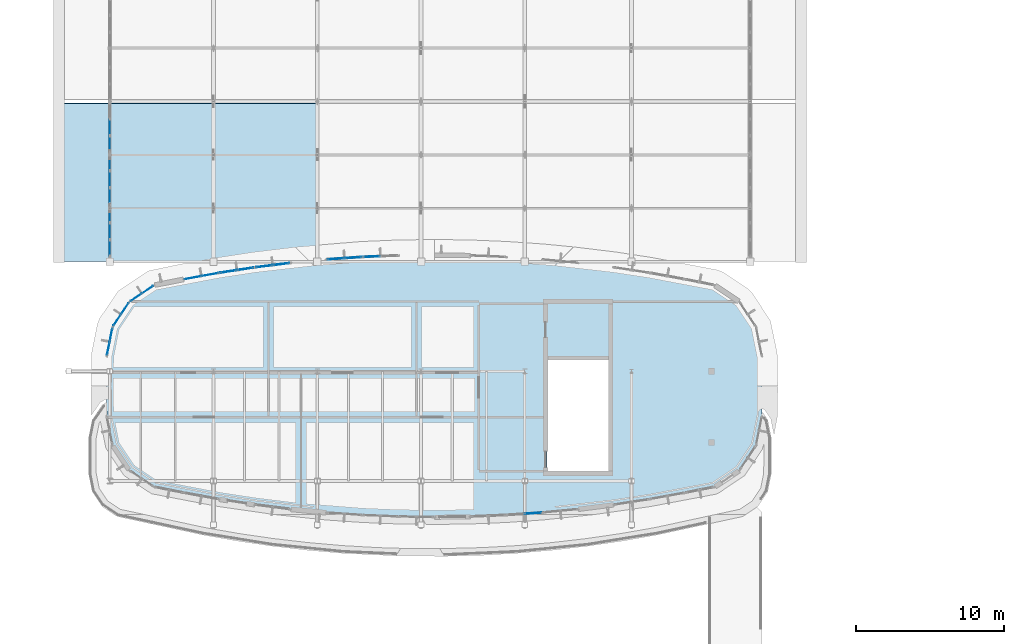
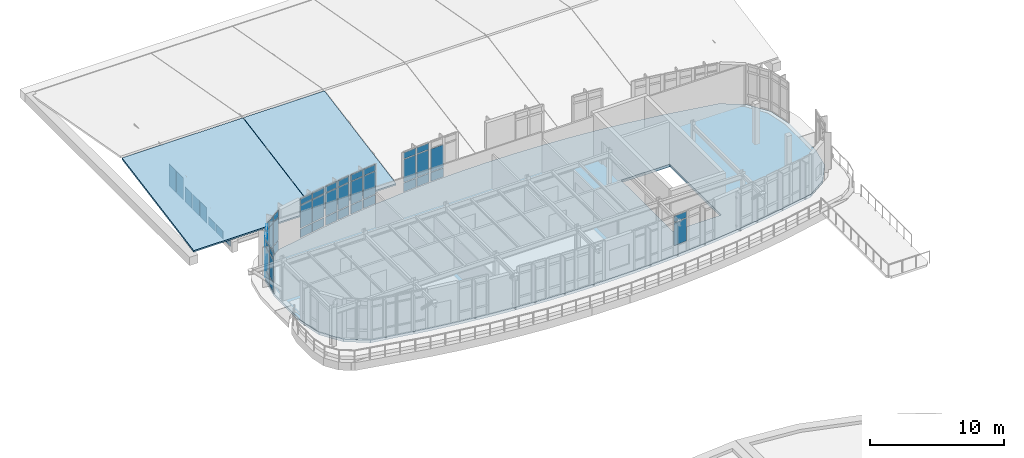
# One storey, part 67 of 105: 54 plates, 3 slabs, 12 elements without a shape of their own.
"""IFC4 building model written with IfcOpenShell, lengths in metres."""

from ifc_helpers import new_model, si_unit, direction, frame, origin, origin_2d, place, context, subcontext, project, spatial, polyline, rectangle, outline, extrude, material, layer, layer_set, type_object, element, aggregate, save


model = new_model("IFC4")

# Units and contexts
model_context = context("Model", 3, precision=1e-05, world=origin(), true_north=direction((0.0, 1.0)))
body_context = subcontext(model_context, "Body", "Model", "MODEL_VIEW")
ifc_project = project(units=[si_unit("LENGTHUNIT", "METRE"), si_unit("AREAUNIT", "SQUARE_METRE"), si_unit("VOLUMEUNIT", "CUBIC_METRE"), si_unit("PLANEANGLEUNIT", "RADIAN"), si_unit("MASSUNIT", "GRAM", prefix="KILO")], contexts=[model_context])

# Site, building, storey
site_placement = place(None, origin())
site = spatial("IfcSite", under=ifc_project, at=site_placement, CompositionType="ELEMENT")
building_placement = place(site_placement, origin())
building = spatial("IfcBuilding", under=site, at=building_placement, Name="Corveleigh Park Community Centre", CompositionType="ELEMENT")
storey_placement = place(building_placement, frame((0.0, 0.0, 8.699951171875)))
storey = spatial("IfcBuildingStorey", under=building, at=storey_placement, Name="L02", CompositionType="ELEMENT", Elevation=8.699951171875)

# Curtain wall, plates
ifc_material_1 = material(Name="Anodised aluminium 6063-T6", Category="aluminium")
curtain_wall_type = type_object("IfcCurtainWallType", Name="CW-SYS-V2-HALL", PredefinedType="NOTDEFINED", material=ifc_material_1)
curtain_wall_1_placement = place(storey_placement, origin())
curtain_wall_1 = element("IfcCurtainWall", 1, at=curtain_wall_1_placement, inside=storey, type_object=curtain_wall_type, Name="V2 L02 Curtain Wall 325", PredefinedType="NOTDEFINED")
ifc_material_2 = material(Name="Low-E double glazing", Category="glass")
ifc_layer_1 = layer(ifc_material_2, 0.02392578125, Name="Low-E double glazing", Category="glass")
ifc_layer_set_1 = layer_set([ifc_layer_1], Name="Low-E double glazing")
plate_type_1 = type_object("IfcPlateType", Name="CWP-GLZ-24", PredefinedType="CURTAIN_PANEL", material=ifc_layer_set_1)
plate_1_placement = place(storey_placement, frame((16.80078125, 91.71142578125, 0.080078125), z_axis=(0.0, 0.0, 1.0), x_axis=(0.983942713081, 0.178484557805, 0.0)))
plate_1 = element("IfcPlate", 2, at=plate_1_placement, type_object=plate_type_1, Name="CW04 panel 1.1", PredefinedType="CURTAIN_PANEL", context=body_context, shape_type="SweptSolid", body=[
    extrude(rectangle(XDim=1.117431640625, YDim=0.02392578125, at=origin_2d()), origin(), (0.0, 0.0, 1.0), 0.780029296875),
])
plate_2_placement = place(storey_placement, frame((16.80078125, 91.71142578125, 0.93994140625), z_axis=(0.0, 0.0, 1.0), x_axis=(0.983942713081, 0.178484557805, 0.0)))
plate_2 = element("IfcPlate", 3, at=plate_2_placement, type_object=plate_type_1, Name="CW04 panel 1.2", PredefinedType="CURTAIN_PANEL", context=body_context, shape_type="SweptSolid", body=[
    extrude(rectangle(XDim=1.117431640625, YDim=0.02392578125, at=origin_2d()), origin(), (0.0, 0.0, 1.0), 2.050048828125),
])
plate_3_placement = place(storey_placement, frame((16.80078125, 91.71142578125, 3.06982421875), z_axis=(0.0, 0.0, 1.0), x_axis=(0.983942713081, 0.178484557805, 0.0)))
plate_3 = element("IfcPlate", 4, at=plate_3_placement, type_object=plate_type_1, Name="CW04 panel 1.3", PredefinedType="CURTAIN_PANEL", context=body_context, shape_type="SweptSolid", body=[
    extrude(rectangle(XDim=1.117431640625, YDim=0.02392578125, at=origin_2d()), origin(), (0.0, 0.0, 1.0), 0.530029296875),
])
plate_4_placement = place(storey_placement, frame((17.959228515625, 91.921630859375, 0.080078125), z_axis=(0.0, 0.0, 1.0), x_axis=(0.983942713081, 0.178484557805, 0.0)))
plate_4 = element("IfcPlate", 5, at=plate_4_placement, type_object=plate_type_1, Name="CW04 panel 2.1", PredefinedType="CURTAIN_PANEL", context=body_context, shape_type="SweptSolid", body=[
    extrude(rectangle(XDim=1.117431640625, YDim=0.02392578125, at=origin_2d()), origin(), (0.0, 0.0, 1.0), 0.780029296875),
])
plate_5_placement = place(storey_placement, frame((17.959228515625, 91.921630859375, 0.93994140625), z_axis=(0.0, 0.0, 1.0), x_axis=(0.983942713081, 0.178484557805, 0.0)))
plate_5 = element("IfcPlate", 6, at=plate_5_placement, type_object=plate_type_1, Name="CW04 panel 2.2", PredefinedType="CURTAIN_PANEL", context=body_context, shape_type="SweptSolid", body=[
    extrude(rectangle(XDim=1.117431640625, YDim=0.02392578125, at=origin_2d()), origin(), (0.0, 0.0, 1.0), 2.050048828125),
])
plate_6_placement = place(storey_placement, frame((17.959228515625, 91.921630859375, 3.06982421875), z_axis=(0.0, 0.0, 1.0), x_axis=(0.983942713081, 0.178484557805, 0.0)))
plate_6 = element("IfcPlate", 7, at=plate_6_placement, type_object=plate_type_1, Name="CW04 panel 2.3", PredefinedType="CURTAIN_PANEL", context=body_context, shape_type="SweptSolid", body=[
    extrude(rectangle(XDim=1.117431640625, YDim=0.02392578125, at=origin_2d()), origin(), (0.0, 0.0, 1.0), 0.530029296875),
])
aggregate(curtain_wall_1, [plate_1, plate_2, plate_3, plate_4, plate_5, plate_6])

curtain_wall_2_placement = place(storey_placement, origin())
curtain_wall_2 = element("IfcCurtainWall", 8, at=curtain_wall_2_placement, inside=storey, type_object=curtain_wall_type, Name="V2 L02 Curtain Wall 326", PredefinedType="NOTDEFINED")
plate_7_placement = place(storey_placement, frame((12.970458984375, 90.38427734375, 0.06005859375), z_axis=(0.0, 0.0, 1.0), x_axis=(0.831811465407, 0.555058272633, 0.0)))
plate_7 = element("IfcPlate", 9, at=plate_7_placement, type_object=plate_type_1, Name="CW04 panel 1.1", PredefinedType="CURTAIN_PANEL", context=body_context, shape_type="SweptSolid", body=[
    extrude(rectangle(XDim=0.869140625, YDim=0.02392578125, at=origin_2d()), origin(), (0.0, 0.0, 1.0), 0.81005859375),
])
plate_8_placement = place(storey_placement, frame((12.970458984375, 90.38427734375, 0.93017578125), z_axis=(0.0, 0.0, 1.0), x_axis=(0.831811465407, 0.555058272633, 0.0)))
plate_8 = element("IfcPlate", 10, at=plate_8_placement, type_object=plate_type_1, Name="CW04 panel 1.2", PredefinedType="CURTAIN_PANEL", context=body_context, shape_type="SweptSolid", body=[
    extrude(rectangle(XDim=0.869140625, YDim=0.02392578125, at=origin_2d()), origin(), (0.0, 0.0, 1.0), 2.070068359375),
])
plate_9_placement = place(storey_placement, frame((12.970458984375, 90.38427734375, 3.06005859375), z_axis=(0.0, 0.0, 1.0), x_axis=(0.831811465407, 0.555058272633, 0.0)))
plate_9 = element("IfcPlate", 11, at=plate_9_placement, type_object=plate_type_1, Name="CW04 panel 1.3", PredefinedType="CURTAIN_PANEL", context=body_context, shape_type="SweptSolid", body=[
    extrude(rectangle(XDim=0.869140625, YDim=0.02392578125, at=origin_2d()), origin(), (0.0, 0.0, 1.0), 0.56005859375),
])
plate_10_placement = place(storey_placement, frame((13.74755859375, 90.90283203125, 0.06005859375), z_axis=(0.0, 0.0, 1.0), x_axis=(0.831811465407, 0.555058272633, 0.0)))
plate_10 = element("IfcPlate", 12, at=plate_10_placement, type_object=plate_type_1, Name="CW04 panel 2.1", PredefinedType="CURTAIN_PANEL", context=body_context, shape_type="SweptSolid", body=[
    extrude(rectangle(XDim=0.869140625, YDim=0.02392578125, at=origin_2d()), origin(), (0.0, 0.0, 1.0), 0.81005859375),
])
plate_11_placement = place(storey_placement, frame((13.74755859375, 90.90283203125, 0.93017578125), z_axis=(0.0, 0.0, 1.0), x_axis=(0.831811465407, 0.555058272633, 0.0)))
plate_11 = element("IfcPlate", 13, at=plate_11_placement, type_object=plate_type_1, Name="CW04 panel 2.2", PredefinedType="CURTAIN_PANEL", context=body_context, shape_type="SweptSolid", body=[
    extrude(rectangle(XDim=0.869140625, YDim=0.02392578125, at=origin_2d()), origin(), (0.0, 0.0, 1.0), 2.070068359375),
])
plate_12_placement = place(storey_placement, frame((13.74755859375, 90.90283203125, 3.06005859375), z_axis=(0.0, 0.0, 1.0), x_axis=(0.831811465407, 0.555058272633, 0.0)))
plate_12 = element("IfcPlate", 14, at=plate_12_placement, type_object=plate_type_1, Name="CW04 panel 2.3", PredefinedType="CURTAIN_PANEL", context=body_context, shape_type="SweptSolid", body=[
    extrude(rectangle(XDim=0.869140625, YDim=0.02392578125, at=origin_2d()), origin(), (0.0, 0.0, 1.0), 0.56005859375),
])
aggregate(curtain_wall_2, [plate_7, plate_8, plate_9, plate_10, plate_11, plate_12])

curtain_wall_3_placement = place(storey_placement, origin())
curtain_wall_3 = element("IfcCurtainWall", 15, at=curtain_wall_3_placement, inside=storey, type_object=curtain_wall_type, Name="V2 L02 Curtain Wall 327", PredefinedType="NOTDEFINED")
ifc_layer_2 = layer(ifc_material_2, 0.028076171875, Name="Low-E double glazing", Category="glass")
ifc_layer_set_2 = layer_set([ifc_layer_2], Name="Low-E double glazing")
plate_type_2 = type_object("IfcPlateType", Name="CWP-GLZ-28", PredefinedType="CURTAIN_PANEL", material=ifc_layer_set_2)
plate_13_placement = place(storey_placement, frame((11.697998046875, 88.853515625, 0.06494140625), z_axis=(0.0, 0.0, 1.0), x_axis=(0.555058272633, 0.831811465407, 0.0)))
plate_13 = element("IfcPlate", 16, at=plate_13_placement, type_object=plate_type_2, Name="CW04 panel 1.1", PredefinedType="CURTAIN_PANEL", context=body_context, shape_type="SweptSolid", body=[
    extrude(rectangle(XDim=0.861572265625, YDim=0.028076171875, at=origin_2d()), origin(), (0.0, 0.0, 1.0), 0.802490234375),
])
plate_14_placement = place(storey_placement, frame((11.697998046875, 88.853515625, 0.9326171875), z_axis=(0.0, 0.0, 1.0), x_axis=(0.555058272633, 0.831811465407, 0.0)))
plate_14 = element("IfcPlate", 17, at=plate_14_placement, type_object=plate_type_2, Name="CW04 panel 1.2", PredefinedType="CURTAIN_PANEL", context=body_context, shape_type="SweptSolid", body=[
    extrude(rectangle(XDim=0.861572265625, YDim=0.028076171875, at=origin_2d()), origin(), (0.0, 0.0, 1.0), 2.06494140625),
])
plate_15_placement = place(storey_placement, frame((11.697998046875, 88.853515625, 3.0625), z_axis=(0.0, 0.0, 1.0), x_axis=(0.555058272633, 0.831811465407, 0.0)))
plate_15 = element("IfcPlate", 18, at=plate_15_placement, type_object=plate_type_2, Name="CW04 panel 1.3", PredefinedType="CURTAIN_PANEL", context=body_context, shape_type="SweptSolid", body=[
    extrude(rectangle(XDim=0.861572265625, YDim=0.028076171875, at=origin_2d()), origin(), (0.0, 0.0, 1.0), 0.552490234375),
])
plate_16_placement = place(storey_placement, frame((12.215087890625, 89.62841796875, 0.06494140625), z_axis=(0.0, 0.0, 1.0), x_axis=(0.555058272633, 0.831811465407, 0.0)))
plate_16 = element("IfcPlate", 19, at=plate_16_placement, type_object=plate_type_2, Name="CW04 panel 2.1", PredefinedType="CURTAIN_PANEL", context=body_context, shape_type="SweptSolid", body=[
    extrude(rectangle(XDim=0.861572265625, YDim=0.028076171875, at=origin_2d()), origin(), (0.0, 0.0, 1.0), 0.802490234375),
])
plate_17_placement = place(storey_placement, frame((12.215087890625, 89.62841796875, 0.9326171875), z_axis=(0.0, 0.0, 1.0), x_axis=(0.555058272633, 0.831811465407, 0.0)))
plate_17 = element("IfcPlate", 20, at=plate_17_placement, type_object=plate_type_2, Name="CW04 panel 2.2", PredefinedType="CURTAIN_PANEL", context=body_context, shape_type="SweptSolid", body=[
    extrude(rectangle(XDim=0.861572265625, YDim=0.028076171875, at=origin_2d()), origin(), (0.0, 0.0, 1.0), 2.06494140625),
])
plate_18_placement = place(storey_placement, frame((12.215087890625, 89.62841796875, 3.0625), z_axis=(0.0, 0.0, 1.0), x_axis=(0.555058272633, 0.831811465407, 0.0)))
plate_18 = element("IfcPlate", 21, at=plate_18_placement, type_object=plate_type_2, Name="CW04 panel 2.3", PredefinedType="CURTAIN_PANEL", context=body_context, shape_type="SweptSolid", body=[
    extrude(rectangle(XDim=0.861572265625, YDim=0.028076171875, at=origin_2d()), origin(), (0.0, 0.0, 1.0), 0.552490234375),
])
aggregate(curtain_wall_3, [plate_13, plate_14, plate_15, plate_16, plate_17, plate_18])

curtain_wall_4_placement = place(storey_placement, origin())
curtain_wall_4 = element("IfcCurtainWall", 22, at=curtain_wall_4_placement, inside=storey, type_object=curtain_wall_type, Name="V2 L02 Curtain Wall 328", PredefinedType="NOTDEFINED")
plate_19_placement = place(storey_placement, frame((11.10400390625, 86.9375, 0.070068359375), z_axis=(0.0, 0.0, 1.0), x_axis=(0.195033154312, 0.980796650035, 0.0)))
plate_19 = element("IfcPlate", 23, at=plate_19_placement, type_object=plate_type_2, Name="CW04 panel 1.1", PredefinedType="CURTAIN_PANEL", context=body_context, shape_type="SweptSolid", body=[
    extrude(rectangle(XDim=0.8642578125, YDim=0.028076171875, at=origin_2d()), origin(), (0.0, 0.0, 1.0), 0.794921875),
])
plate_20_placement = place(storey_placement, frame((11.10400390625, 86.9375, 0.93505859375), z_axis=(0.0, 0.0, 1.0), x_axis=(0.195033154312, 0.980796650035, 0.0)))
plate_20 = element("IfcPlate", 24, at=plate_20_placement, type_object=plate_type_2, Name="CW04 panel 1.2", PredefinedType="CURTAIN_PANEL", context=body_context, shape_type="SweptSolid", body=[
    extrude(rectangle(XDim=0.8642578125, YDim=0.028076171875, at=origin_2d()), origin(), (0.0, 0.0, 1.0), 2.06005859375),
])
plate_21_placement = place(storey_placement, frame((11.10400390625, 86.9375, 3.065185546875), z_axis=(0.0, 0.0, 1.0), x_axis=(0.195033154312, 0.980796650035, 0.0)))
plate_21 = element("IfcPlate", 25, at=plate_21_placement, type_object=plate_type_2, Name="CW04 panel 1.3", PredefinedType="CURTAIN_PANEL", context=body_context, shape_type="SweptSolid", body=[
    extrude(rectangle(XDim=0.8642578125, YDim=0.028076171875, at=origin_2d()), origin(), (0.0, 0.0, 1.0), 0.544921875),
])
plate_22_placement = place(storey_placement, frame((11.287109375, 87.858642578125, 0.070068359375), z_axis=(0.0, 0.0, 1.0), x_axis=(0.195033154312, 0.980796650035, 0.0)))
plate_22 = element("IfcPlate", 26, at=plate_22_placement, type_object=plate_type_2, Name="CW04 panel 2.1", PredefinedType="CURTAIN_PANEL", context=body_context, shape_type="SweptSolid", body=[
    extrude(rectangle(XDim=0.8642578125, YDim=0.028076171875, at=origin_2d()), origin(), (0.0, 0.0, 1.0), 0.794921875),
])
plate_23_placement = place(storey_placement, frame((11.287109375, 87.858642578125, 0.93505859375), z_axis=(0.0, 0.0, 1.0), x_axis=(0.195033154312, 0.980796650035, 0.0)))
plate_23 = element("IfcPlate", 27, at=plate_23_placement, type_object=plate_type_2, Name="CW04 panel 2.2", PredefinedType="CURTAIN_PANEL", context=body_context, shape_type="SweptSolid", body=[
    extrude(rectangle(XDim=0.8642578125, YDim=0.028076171875, at=origin_2d()), origin(), (0.0, 0.0, 1.0), 2.06005859375),
])
plate_24_placement = place(storey_placement, frame((11.287109375, 87.858642578125, 3.065185546875), z_axis=(0.0, 0.0, 1.0), x_axis=(0.195033154312, 0.980796650035, 0.0)))
plate_24 = element("IfcPlate", 28, at=plate_24_placement, type_object=plate_type_2, Name="CW04 panel 2.3", PredefinedType="CURTAIN_PANEL", context=body_context, shape_type="SweptSolid", body=[
    extrude(rectangle(XDim=0.8642578125, YDim=0.028076171875, at=origin_2d()), origin(), (0.0, 0.0, 1.0), 0.544921875),
])
aggregate(curtain_wall_4, [plate_19, plate_20, plate_21, plate_22, plate_23, plate_24])

curtain_wall_5_placement = place(storey_placement, origin())
curtain_wall_5 = element("IfcCurtainWall", 29, at=curtain_wall_5_placement, inside=storey, type_object=curtain_wall_type, Name="Sports Hall W Gable Clerestory 1", PredefinedType="NOTDEFINED")
plate_25_placement = place(storey_placement, frame((11.199951171875, 93.7275390625, 0.06494140625), z_axis=(0.0, 0.0, 1.0), x_axis=(0.0, 1.0, 0.0)))
plate_25 = element("IfcPlate", 30, at=plate_25_placement, type_object=plate_type_2, Name="CW04 panel 1.1", PredefinedType="CURTAIN_PANEL", context=body_context, shape_type="SweptSolid", body=[
    extrude(rectangle(XDim=1.034912109375, YDim=0.028076171875, at=origin_2d()), origin(), (0.0, 0.0, 1.0), 0.740966796875),
])
plate_26_placement = place(storey_placement, frame((11.199951171875, 94.85009765625, 0.06494140625), z_axis=(0.0, 0.0, 1.0), x_axis=(0.0, 1.0, 0.0)))
plate_26 = element("IfcPlate", 31, at=plate_26_placement, type_object=plate_type_2, Name="CW04 panel 2.1", PredefinedType="CURTAIN_PANEL", context=body_context, shape_type="SweptSolid", body=[
    extrude(rectangle(XDim=1.070068359375, YDim=0.028076171875, at=origin_2d()), origin(), (0.0, 0.0, 1.0), 0.740966796875),
])
plate_27_placement = place(storey_placement, frame((11.199951171875, 95.972412109375, 0.06494140625), z_axis=(0.0, 0.0, 1.0), x_axis=(0.0, 1.0, 0.0)))
plate_27 = element("IfcPlate", 32, at=plate_27_placement, type_object=plate_type_2, Name="CW04 panel 3.1", PredefinedType="CURTAIN_PANEL", context=body_context, shape_type="SweptSolid", body=[
    extrude(rectangle(XDim=1.034912109375, YDim=0.028076171875, at=origin_2d()), origin(), (0.0, 0.0, 1.0), 0.740966796875),
])
aggregate(curtain_wall_5, [plate_25, plate_26, plate_27])

curtain_wall_6_placement = place(storey_placement, origin())
curtain_wall_6 = element("IfcCurtainWall", 33, at=curtain_wall_6_placement, inside=storey, type_object=curtain_wall_type, Name="Sports Hall W Gable Clerestory 2", PredefinedType="NOTDEFINED")
plate_28_placement = place(storey_placement, frame((11.199951171875, 97.2275390625, 0.06494140625), z_axis=(0.0, 0.0, 1.0), x_axis=(0.0, 1.0, 0.0)))
plate_28 = element("IfcPlate", 34, at=plate_28_placement, type_object=plate_type_2, Name="CW04 panel 1.1", PredefinedType="CURTAIN_PANEL", context=body_context, shape_type="SweptSolid", body=[
    extrude(rectangle(XDim=1.034912109375, YDim=0.028076171875, at=origin_2d()), origin(), (0.0, 0.0, 1.0), 1.373046875),
])
plate_29_placement = place(storey_placement, frame((11.199951171875, 98.35009765625, 0.06494140625), z_axis=(0.0, 0.0, 1.0), x_axis=(0.0, 1.0, 0.0)))
plate_29 = element("IfcPlate", 35, at=plate_29_placement, type_object=plate_type_2, Name="CW04 panel 2.1", PredefinedType="CURTAIN_PANEL", context=body_context, shape_type="SweptSolid", body=[
    extrude(rectangle(XDim=1.070068359375, YDim=0.028076171875, at=origin_2d()), origin(), (0.0, 0.0, 1.0), 1.373046875),
])
plate_30_placement = place(storey_placement, frame((11.199951171875, 99.472412109375, 0.06494140625), z_axis=(0.0, 0.0, 1.0), x_axis=(0.0, 1.0, 0.0)))
plate_30 = element("IfcPlate", 36, at=plate_30_placement, type_object=plate_type_2, Name="CW04 panel 3.1", PredefinedType="CURTAIN_PANEL", context=body_context, shape_type="SweptSolid", body=[
    extrude(rectangle(XDim=1.034912109375, YDim=0.028076171875, at=origin_2d()), origin(), (0.0, 0.0, 1.0), 1.373046875),
])
aggregate(curtain_wall_6, [plate_28, plate_29, plate_30])

curtain_wall_7_placement = place(storey_placement, origin())
curtain_wall_7 = element("IfcCurtainWall", 37, at=curtain_wall_7_placement, inside=storey, type_object=curtain_wall_type, Name="Sports Hall W Gable Clerestory 3", PredefinedType="NOTDEFINED")
plate_31_placement = place(storey_placement, frame((11.199951171875, 100.7275390625, 0.065185546875), z_axis=(0.0, 0.0, 1.0), x_axis=(0.0, 1.0, 0.0)))
plate_31 = element("IfcPlate", 38, at=plate_31_placement, type_object=plate_type_2, Name="CW04 panel 1.1", PredefinedType="CURTAIN_PANEL", context=body_context, shape_type="SweptSolid", body=[
    extrude(rectangle(XDim=1.034912109375, YDim=0.028076171875, at=origin_2d()), origin(), (0.0, 0.0, 1.0), 2.0048828125),
])
plate_32_placement = place(storey_placement, frame((11.199951171875, 101.85009765625, 0.065185546875), z_axis=(0.0, 0.0, 1.0), x_axis=(0.0, 1.0, 0.0)))
plate_32 = element("IfcPlate", 39, at=plate_32_placement, type_object=plate_type_2, Name="CW04 panel 2.1", PredefinedType="CURTAIN_PANEL", context=body_context, shape_type="SweptSolid", body=[
    extrude(rectangle(XDim=1.070068359375, YDim=0.028076171875, at=origin_2d()), origin(), (0.0, 0.0, 1.0), 2.0048828125),
])
aggregate(curtain_wall_7, [plate_31, plate_32])

curtain_wall_8_placement = place(storey_placement, origin())
curtain_wall_8 = element("IfcCurtainWall", 40, at=curtain_wall_8_placement, inside=storey, type_object=curtain_wall_type, Name="V2 L02 Curtain Wall 307", PredefinedType="NOTDEFINED")
ifc_layer_3 = layer(ifc_material_2, 0.035888671875, Name="Low-E double glazing", Category="glass")
ifc_layer_set_3 = layer_set([ifc_layer_3], Name="Low-E double glazing")
plate_type_3 = type_object("IfcPlateType", Name="CWP-GLZ-36", PredefinedType="CURTAIN_PANEL", material=ifc_layer_set_3)
plate_33_placement = place(storey_placement, frame((39.760986328125, 75.818359375, 0.9326171875), z_axis=(0.0, 0.0, 1.0), x_axis=(-0.997632289197, -0.068773654486, 0.0)))
plate_33 = element("IfcPlate", 41, at=plate_33_placement, type_object=plate_type_3, Name="CW04 panel 1.2", PredefinedType="CURTAIN_PANEL", context=body_context, shape_type="SweptSolid", body=[
    extrude(rectangle(XDim=1.116943359375, YDim=0.035888671875, at=origin_2d()), origin(), (0.0, 0.0, 1.0), 2.06494140625),
])
plate_34_placement = place(storey_placement, frame((39.760986328125, 75.818359375, 3.0625), z_axis=(0.0, 0.0, 1.0), x_axis=(-0.997632289197, -0.068773654486, 0.0)))
plate_34 = element("IfcPlate", 42, at=plate_34_placement, type_object=plate_type_3, Name="CW04 panel 1.3", PredefinedType="CURTAIN_PANEL", context=body_context, shape_type="SweptSolid", body=[
    extrude(rectangle(XDim=1.116943359375, YDim=0.035888671875, at=origin_2d()), origin(), (0.0, 0.0, 1.0), 0.552490234375),
])
aggregate(curtain_wall_8, [plate_33, plate_34])

curtain_wall_9_placement = place(storey_placement, origin())
curtain_wall_9 = element("IfcCurtainWall", 43, at=curtain_wall_9_placement, inside=storey, type_object=curtain_wall_type, Name="V2 L02 Curtain Wall 321", PredefinedType="NOTDEFINED")
ifc_layer_4 = layer(ifc_material_2, 0.0400390625, Name="Low-E double glazing", Category="glass")
ifc_layer_set_4 = layer_set([ifc_layer_4], Name="Low-E double glazing")
plate_type_4 = type_object("IfcPlateType", Name="CWP-GLZ-40", PredefinedType="CURTAIN_PANEL", material=ifc_layer_set_4)
plate_35_placement = place(storey_placement, frame((28.868408203125, 93.132080078125, 0.06005859375), z_axis=(0.0, 0.0, 1.0), x_axis=(0.99912443685, 0.041837300215, 0.0)))
plate_35 = element("IfcPlate", 44, at=plate_35_placement, type_object=plate_type_4, Name="CW04 panel 1.1", PredefinedType="CURTAIN_PANEL", context=body_context, shape_type="SweptSolid", body=[
    extrude(rectangle(XDim=1.10205078125, YDim=0.0400390625, at=origin_2d()), origin(), (0.0, 0.0, 1.0), 0.81005859375),
])
plate_36_placement = place(storey_placement, frame((28.868408203125, 93.132080078125, 0.93017578125), z_axis=(0.0, 0.0, 1.0), x_axis=(0.99912443685, 0.041837300215, 0.0)))
plate_36 = element("IfcPlate", 45, at=plate_36_placement, type_object=plate_type_4, Name="CW04 panel 1.2", PredefinedType="CURTAIN_PANEL", context=body_context, shape_type="SweptSolid", body=[
    extrude(rectangle(XDim=1.10205078125, YDim=0.0400390625, at=origin_2d()), origin(), (0.0, 0.0, 1.0), 2.070068359375),
])
aggregate(curtain_wall_9, [plate_35, plate_36])

curtain_wall_10_placement = place(storey_placement, origin())
curtain_wall_10 = element("IfcCurtainWall", 46, at=curtain_wall_10_placement, inside=storey, type_object=curtain_wall_type, Name="V2 L02 Curtain Wall 322", PredefinedType="NOTDEFINED")
plate_37_placement = place(storey_placement, frame((26.442626953125, 92.981689453125, 0.06494140625), z_axis=(0.0, 0.0, 1.0), x_axis=(0.997632289197, 0.068773654486, 0.0)))
plate_37 = element("IfcPlate", 47, at=plate_37_placement, type_object=plate_type_4, Name="CW04 panel 1.1", PredefinedType="CURTAIN_PANEL", context=body_context, shape_type="SweptSolid", body=[
    extrude(rectangle(XDim=1.09423828125, YDim=0.0400390625, at=origin_2d()), origin(), (0.0, 0.0, 1.0), 0.802490234375),
])
plate_38_placement = place(storey_placement, frame((26.442626953125, 92.981689453125, 0.9326171875), z_axis=(0.0, 0.0, 1.0), x_axis=(0.997632289197, 0.068773654486, 0.0)))
plate_38 = element("IfcPlate", 48, at=plate_38_placement, type_object=plate_type_4, Name="CW04 panel 1.2", PredefinedType="CURTAIN_PANEL", context=body_context, shape_type="SweptSolid", body=[
    extrude(rectangle(XDim=1.09423828125, YDim=0.0400390625, at=origin_2d()), origin(), (0.0, 0.0, 1.0), 2.06494140625),
])
plate_39_placement = place(storey_placement, frame((26.442626953125, 92.981689453125, 3.0625), z_axis=(0.0, 0.0, 1.0), x_axis=(0.997632289197, 0.068773654486, 0.0)))
plate_39 = element("IfcPlate", 49, at=plate_39_placement, type_object=plate_type_4, Name="CW04 panel 1.3", PredefinedType="CURTAIN_PANEL", context=body_context, shape_type="SweptSolid", body=[
    extrude(rectangle(XDim=1.09423828125, YDim=0.0400390625, at=origin_2d()), origin(), (0.0, 0.0, 1.0), 0.552490234375),
])
plate_40_placement = place(storey_placement, frame((27.609375, 93.062255859375, 0.06494140625), z_axis=(0.0, 0.0, 1.0), x_axis=(0.997632289197, 0.068773654486, 0.0)))
plate_40 = element("IfcPlate", 50, at=plate_40_placement, type_object=plate_type_4, Name="CW04 panel 2.1", PredefinedType="CURTAIN_PANEL", context=body_context, shape_type="SweptSolid", body=[
    extrude(rectangle(XDim=1.09423828125, YDim=0.0400390625, at=origin_2d()), origin(), (0.0, 0.0, 1.0), 0.802490234375),
])
plate_41_placement = place(storey_placement, frame((27.609375, 93.062255859375, 0.9326171875), z_axis=(0.0, 0.0, 1.0), x_axis=(0.997632289197, 0.068773654486, 0.0)))
plate_41 = element("IfcPlate", 51, at=plate_41_placement, type_object=plate_type_4, Name="CW04 panel 2.2", PredefinedType="CURTAIN_PANEL", context=body_context, shape_type="SweptSolid", body=[
    extrude(rectangle(XDim=1.09423828125, YDim=0.0400390625, at=origin_2d()), origin(), (0.0, 0.0, 1.0), 2.06494140625),
])
plate_42_placement = place(storey_placement, frame((27.609375, 93.062255859375, 3.0625), z_axis=(0.0, 0.0, 1.0), x_axis=(0.997632289197, 0.068773654486, 0.0)))
plate_42 = element("IfcPlate", 52, at=plate_42_placement, type_object=plate_type_4, Name="CW04 panel 2.3", PredefinedType="CURTAIN_PANEL", context=body_context, shape_type="SweptSolid", body=[
    extrude(rectangle(XDim=1.09423828125, YDim=0.0400390625, at=origin_2d()), origin(), (0.0, 0.0, 1.0), 0.552490234375),
])
aggregate(curtain_wall_10, [plate_37, plate_38, plate_39, plate_40, plate_41, plate_42])

curtain_wall_11_placement = place(storey_placement, origin())
curtain_wall_11 = element("IfcCurtainWall", 53, at=curtain_wall_11_placement, inside=storey, type_object=curtain_wall_type, Name="V2 L02 Curtain Wall 323", PredefinedType="NOTDEFINED")
ifc_layer_5 = layer(ifc_material_2, 0.0439453125, Name="Low-E double glazing", Category="glass")
ifc_layer_set_5 = layer_set([ifc_layer_5], Name="Low-E double glazing")
plate_type_5 = type_object("IfcPlateType", Name="CWP-GLZ-44", PredefinedType="CURTAIN_PANEL", material=ifc_layer_set_5)
plate_43_placement = place(storey_placement, frame((21.607666015625, 92.48046875, 0.070068359375), z_axis=(0.0, 0.0, 1.0), x_axis=(0.99224597481, 0.124289683694, 0.0)))
plate_43 = element("IfcPlate", 54, at=plate_43_placement, type_object=plate_type_5, Name="CW04 panel 1.1", PredefinedType="CURTAIN_PANEL", context=body_context, shape_type="SweptSolid", body=[
    extrude(rectangle(XDim=1.0869140625, YDim=0.0439453125, at=origin_2d()), origin(), (0.0, 0.0, 1.0), 0.794921875),
])
plate_44_placement = place(storey_placement, frame((21.607666015625, 92.48046875, 0.93505859375), z_axis=(0.0, 0.0, 1.0), x_axis=(0.99224597481, 0.124289683694, 0.0)))
plate_44 = element("IfcPlate", 55, at=plate_44_placement, type_object=plate_type_5, Name="CW04 panel 1.2", PredefinedType="CURTAIN_PANEL", context=body_context, shape_type="SweptSolid", body=[
    extrude(rectangle(XDim=1.0869140625, YDim=0.0439453125, at=origin_2d()), origin(), (0.0, 0.0, 1.0), 2.06005859375),
])
plate_45_placement = place(storey_placement, frame((21.607666015625, 92.48046875, 3.065185546875), z_axis=(0.0, 0.0, 1.0), x_axis=(0.99224597481, 0.124289683694, 0.0)))
plate_45 = element("IfcPlate", 56, at=plate_45_placement, type_object=plate_type_5, Name="CW04 panel 1.3", PredefinedType="CURTAIN_PANEL", context=body_context, shape_type="SweptSolid", body=[
    extrude(rectangle(XDim=1.0869140625, YDim=0.0439453125, at=origin_2d()), origin(), (0.0, 0.0, 1.0), 0.544921875),
])
plate_46_placement = place(storey_placement, frame((22.765380859375, 92.62548828125, 0.070068359375), z_axis=(0.0, 0.0, 1.0), x_axis=(0.99224597481, 0.124289683694, 0.0)))
plate_46 = element("IfcPlate", 57, at=plate_46_placement, type_object=plate_type_5, Name="CW04 panel 2.1", PredefinedType="CURTAIN_PANEL", context=body_context, shape_type="SweptSolid", body=[
    extrude(rectangle(XDim=1.0869140625, YDim=0.0439453125, at=origin_2d()), origin(), (0.0, 0.0, 1.0), 0.794921875),
])
plate_47_placement = place(storey_placement, frame((22.765380859375, 92.62548828125, 0.93505859375), z_axis=(0.0, 0.0, 1.0), x_axis=(0.99224597481, 0.124289683694, 0.0)))
plate_47 = element("IfcPlate", 58, at=plate_47_placement, type_object=plate_type_5, Name="CW04 panel 2.2", PredefinedType="CURTAIN_PANEL", context=body_context, shape_type="SweptSolid", body=[
    extrude(rectangle(XDim=1.0869140625, YDim=0.0439453125, at=origin_2d()), origin(), (0.0, 0.0, 1.0), 2.06005859375),
])
plate_48_placement = place(storey_placement, frame((22.765380859375, 92.62548828125, 3.065185546875), z_axis=(0.0, 0.0, 1.0), x_axis=(0.99224597481, 0.124289683694, 0.0)))
plate_48 = element("IfcPlate", 59, at=plate_48_placement, type_object=plate_type_5, Name="CW04 panel 2.3", PredefinedType="CURTAIN_PANEL", context=body_context, shape_type="SweptSolid", body=[
    extrude(rectangle(XDim=1.0869140625, YDim=0.0439453125, at=origin_2d()), origin(), (0.0, 0.0, 1.0), 0.544921875),
])
aggregate(curtain_wall_11, [plate_43, plate_44, plate_45, plate_46, plate_47, plate_48])

curtain_wall_12_placement = place(storey_placement, origin())
curtain_wall_12 = element("IfcCurtainWall", 60, at=curtain_wall_12_placement, inside=storey, type_object=curtain_wall_type, Name="V2 L02 Curtain Wall 324", PredefinedType="NOTDEFINED")
plate_49_placement = place(storey_placement, frame((19.203369140625, 92.129638671875, 0.074951171875), z_axis=(0.0, 0.0, 1.0), x_axis=(0.988429120967, 0.151683462597, 0.0)))
plate_49 = element("IfcPlate", 61, at=plate_49_placement, type_object=plate_type_5, Name="CW04 panel 1.1", PredefinedType="CURTAIN_PANEL", context=body_context, shape_type="SweptSolid", body=[
    extrude(rectangle(XDim=1.078857421875, YDim=0.0439453125, at=origin_2d()), origin(), (0.0, 0.0, 1.0), 0.78759765625),
])
plate_50_placement = place(storey_placement, frame((19.203369140625, 92.129638671875, 0.9375), z_axis=(0.0, 0.0, 1.0), x_axis=(0.988429120967, 0.151683462597, 0.0)))
plate_50 = element("IfcPlate", 62, at=plate_50_placement, type_object=plate_type_5, Name="CW04 panel 1.2", PredefinedType="CURTAIN_PANEL", context=body_context, shape_type="SweptSolid", body=[
    extrude(rectangle(XDim=1.078857421875, YDim=0.0439453125, at=origin_2d()), origin(), (0.0, 0.0, 1.0), 2.054931640625),
])
plate_51_placement = place(storey_placement, frame((19.203369140625, 92.129638671875, 3.0673828125), z_axis=(0.0, 0.0, 1.0), x_axis=(0.988429120967, 0.151683462597, 0.0)))
plate_51 = element("IfcPlate", 63, at=plate_51_placement, type_object=plate_type_5, Name="CW04 panel 1.3", PredefinedType="CURTAIN_PANEL", context=body_context, shape_type="SweptSolid", body=[
    extrude(rectangle(XDim=1.078857421875, YDim=0.0439453125, at=origin_2d()), origin(), (0.0, 0.0, 1.0), 0.53759765625),
])
plate_52_placement = place(storey_placement, frame((20.353759765625, 92.306396484375, 0.074951171875), z_axis=(0.0, 0.0, 1.0), x_axis=(0.988429120967, 0.151683462597, 0.0)))
plate_52 = element("IfcPlate", 64, at=plate_52_placement, type_object=plate_type_5, Name="CW04 panel 2.1", PredefinedType="CURTAIN_PANEL", context=body_context, shape_type="SweptSolid", body=[
    extrude(rectangle(XDim=1.078857421875, YDim=0.0439453125, at=origin_2d()), origin(), (0.0, 0.0, 1.0), 0.78759765625),
])
plate_53_placement = place(storey_placement, frame((20.353759765625, 92.306396484375, 0.9375), z_axis=(0.0, 0.0, 1.0), x_axis=(0.988429120967, 0.151683462597, 0.0)))
plate_53 = element("IfcPlate", 65, at=plate_53_placement, type_object=plate_type_5, Name="CW04 panel 2.2", PredefinedType="CURTAIN_PANEL", context=body_context, shape_type="SweptSolid", body=[
    extrude(rectangle(XDim=1.078857421875, YDim=0.0439453125, at=origin_2d()), origin(), (0.0, 0.0, 1.0), 2.054931640625),
])
plate_54_placement = place(storey_placement, frame((20.353759765625, 92.306396484375, 3.0673828125), z_axis=(0.0, 0.0, 1.0), x_axis=(0.988429120967, 0.151683462597, 0.0)))
plate_54 = element("IfcPlate", 66, at=plate_54_placement, type_object=plate_type_5, Name="CW04 panel 2.3", PredefinedType="CURTAIN_PANEL", context=body_context, shape_type="SweptSolid", body=[
    extrude(rectangle(XDim=1.078857421875, YDim=0.0439453125, at=origin_2d()), origin(), (0.0, 0.0, 1.0), 0.53759765625),
])
aggregate(curtain_wall_12, [plate_49, plate_50, plate_51, plate_52, plate_53, plate_54])

# Slabs
ifc_material_3 = material(Name="Concrete C32/40", Category="concrete")
ifc_layer_6 = layer(ifc_material_3, 0.235107421875, Name="Concrete C32/40", Category="concrete")
ifc_layer_set_6 = layer_set([ifc_layer_6], Name="Concrete C32/40")
slab_type_1 = type_object("IfcSlabType", Name="SLB-FLR-235", PredefinedType="FLOOR", material=ifc_layer_set_6)
slab_1_placement = place(storey_placement, frame((0.0, 0.0, -0.23486328125)))
element("IfcSlab", 67, at=slab_1_placement, inside=storey, type_object=slab_type_1, Name="V2 L02 floor slab", PredefinedType="FLOOR", context=body_context, shape_type="SweptSolid", body=[
    extrude(outline(polyline([(14.199951171875, 77.594970703125), (12.51806640625, 78.718017578125), (11.39501953125, 80.39990234375), (11.0, 82.384033203125), (10.97998046875, 83.72802734375), (11.0, 86.416015625), (11.39501953125, 88.39990234375), (12.51806640625, 90.08203125), (14.199951171875, 91.205078125), (18.576904296875, 92.033935546875), (20.97998046875, 92.402099609375), (23.39306640625, 92.7041015625), (25.81298828125, 92.93798828125), (28.239013671875, 93.10595703125), (30.6689453125, 93.20703125), (33.10009765625, 93.239990234375), (35.531005859375, 93.20703125), (37.9609375, 93.10595703125), (40.386962890625, 92.93798828125), (42.806884765625, 92.7041015625), (45.219970703125, 92.402099609375), (47.623046875, 92.033935546875), (52.0, 91.205078125), (53.681884765625, 90.08203125), (54.804931640625, 88.39990234375), (55.199951171875, 86.416015625), (55.219970703125, 85.072021484375), (55.199951171875, 82.384033203125), (54.804931640625, 80.39990234375), (53.681884765625, 78.718017578125), (52.0, 77.594970703125), (47.623046875, 76.76611328125), (45.219970703125, 76.39794921875), (42.806884765625, 76.095947265625), (40.386962890625, 75.862060546875), (37.9609375, 75.694091796875), (35.531005859375, 75.593017578125), (33.10009765625, 75.56005859375), (30.6689453125, 75.593017578125), (28.239013671875, 75.694091796875), (25.81298828125, 75.862060546875), (23.39306640625, 76.095947265625), (20.97998046875, 76.39794921875), (18.576904296875, 76.76611328125), (14.199951171875, 77.594970703125)]), holes=[polyline([(44.89208984375, 86.22900390625), (40.708984375, 86.22900390625), (40.708984375, 78.60791015625), (44.89208984375, 78.60791015625), (44.89208984375, 86.22900390625)])]), origin(), (0.0, 0.0, 1.0), 0.23486328125),
])
ifc_layer_7 = layer(ifc_material_3, 0.162109375, Name="Concrete C32/40", Category="concrete")
ifc_layer_set_7 = layer_set([ifc_layer_7], Name="Concrete C32/40")
slab_type_2 = type_object("IfcSlabType", Name="SLB-ROF-162", PredefinedType="ROOF", material=ifc_layer_set_7)
slab_2_placement = place(storey_placement, frame((7.800048828125, 92.800048828125, 1.14697265625), z_axis=(0.0, -0.179633424332, 0.983733618854), x_axis=(1.0, 0.0, 0.0)))
element("IfcSlab", 68, at=slab_2_placement, inside=storey, type_object=slab_type_2, Name="Sports Hall South Roof Bay 1", PredefinedType="ROOF", context=body_context, shape_type="SweptSolid", body=[
    extrude(outline(polyline([(0.0, 0.0), (10.385009765625, 0.0), (10.385009765625, 10.856528064041468), (0.0, 10.856528064041468), (0.0, 0.0)])), origin(), (0.0, 0.0, -1.0), 0.162109375),
])
slab_3_placement = place(storey_placement, frame((18.215087890625, 92.800048828125, 1.14697265625), z_axis=(0.0, -0.179633424332, 0.983733618854), x_axis=(1.0, 0.0, 0.0)))
element("IfcSlab", 69, at=slab_3_placement, inside=storey, type_object=slab_type_2, Name="Sports Hall South Roof Bay 2", PredefinedType="ROOF", context=body_context, shape_type="SweptSolid", body=[
    extrude(outline(polyline([(0.0, 0.0), (6.969970703125, 0.0), (6.969970703125, 10.856528064041468), (0.0, 10.856528064041468), (0.0, 0.0)])), origin(), (0.0, 0.0, -1.0), 0.162109375),
])

save(model, "model.ifc")
